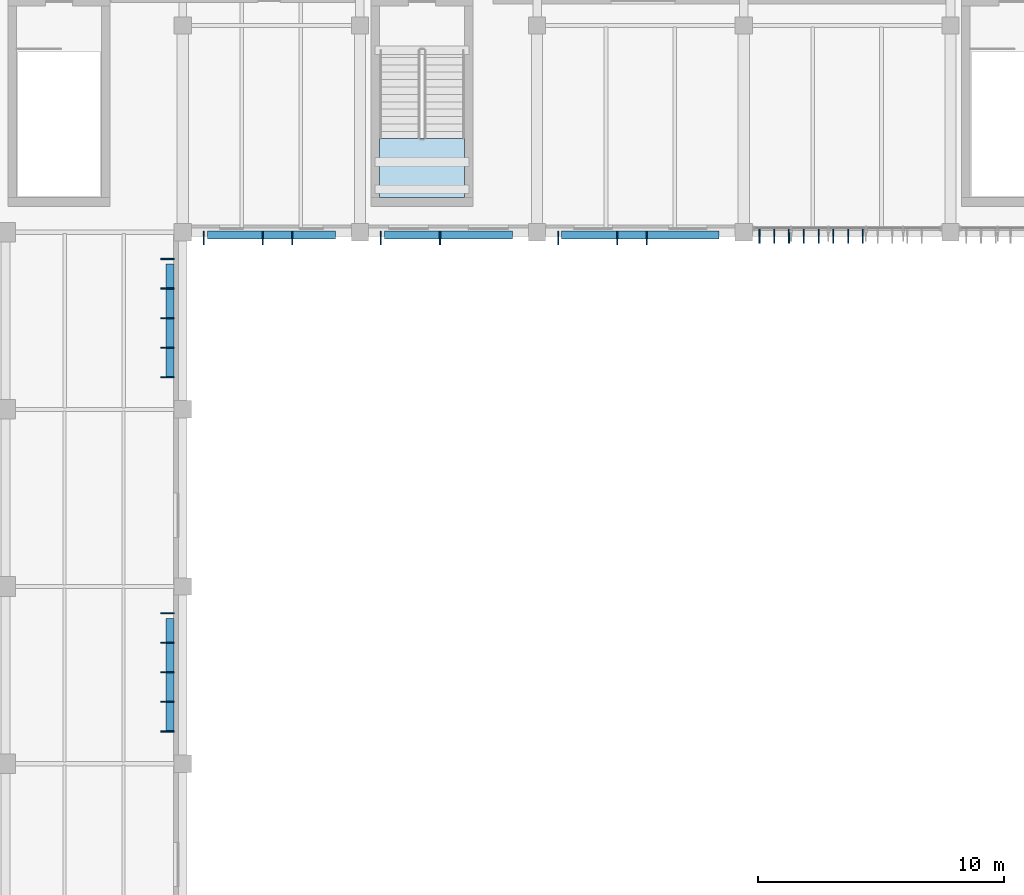
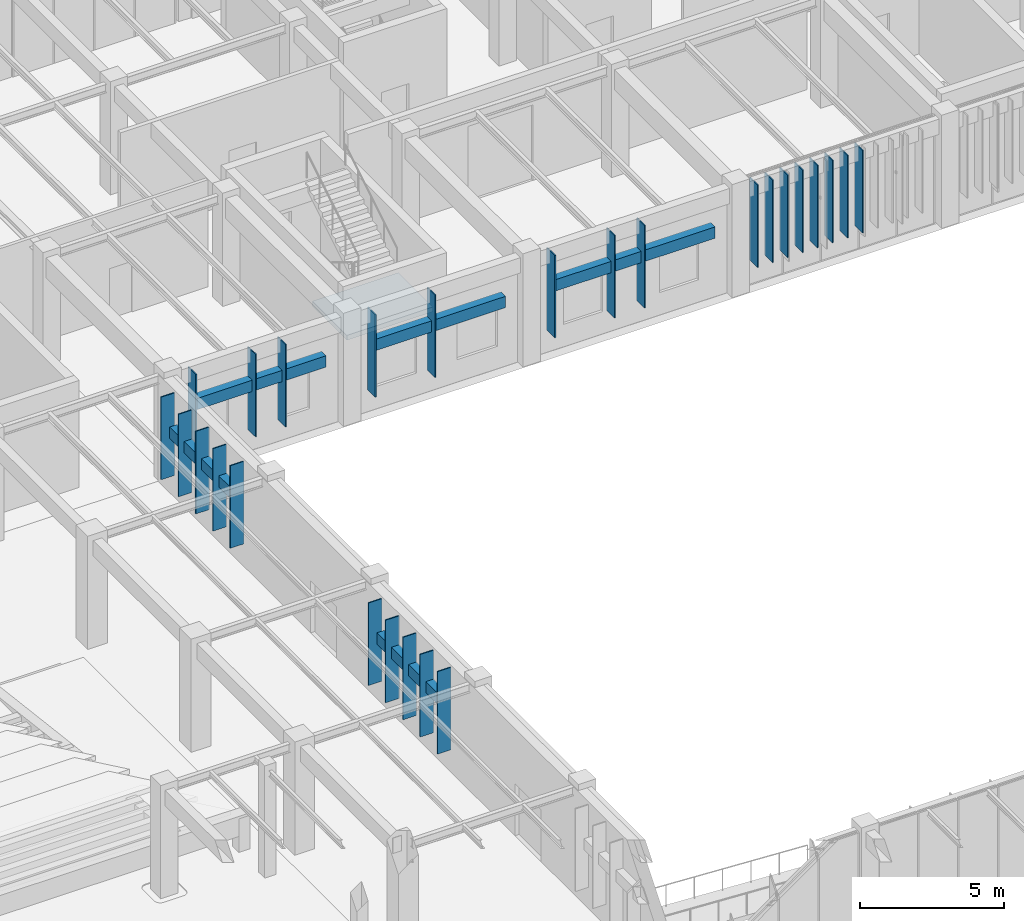
# One storey, part 24 of 122: 31 plates, 1 slab, 1 element without a shape of its own.
"""IFC4 building model written with IfcOpenShell, lengths in metres."""

from ifc_helpers import new_model, si_unit, direction, frame, origin, origin_2d, place, context, subcontext, project, spatial, polyline, rectangle, outline, extrude, material, layer, layer_set, type_object, element, aggregate, save


model = new_model("IFC4")

# Units and contexts
model_context = context("Model", 3, precision=1e-05, world=origin(), true_north=direction((0.0, 1.0)))
body_context = subcontext(model_context, "Body", "Model", "MODEL_VIEW")
ifc_project = project(units=[si_unit("LENGTHUNIT", "METRE"), si_unit("AREAUNIT", "SQUARE_METRE"), si_unit("VOLUMEUNIT", "CUBIC_METRE"), si_unit("PLANEANGLEUNIT", "RADIAN"), si_unit("MASSUNIT", "GRAM", prefix="KILO")], contexts=[model_context])

# Site, building, storey
site_placement = place(None, origin())
site = spatial("IfcSite", under=ifc_project, at=site_placement, CompositionType="ELEMENT")
building_placement = place(site_placement, origin())
building = spatial("IfcBuilding", under=site, at=building_placement, Name="Tazoul Stagehouse", CompositionType="ELEMENT")
storey_placement = place(building_placement, origin())
storey = spatial("IfcBuildingStorey", under=building, at=storey_placement, Name="L00", CompositionType="ELEMENT", Elevation=0.0)

# Stair, slab
ifc_material_1 = material(Name="Concrete C40/50", Category="concrete")
stair_type = type_object("IfcStairType", Name="Protected Core Dogleg Stair 4800", PredefinedType="HALF_TURN_STAIR", material=ifc_material_1)
stair_placement = place(storey_placement, origin())
stair = element("IfcStair", 1, at=stair_placement, inside=storey, type_object=stair_type, Name="L00 Core Escape Stair ST-04", PredefinedType="HALF_TURN_STAIR")
ifc_layer_1 = layer(ifc_material_1, 0.179931640625, Name="Concrete C40/50")
ifc_layer_set_1 = layer_set([ifc_layer_1], Name="Concrete C40/50")
slab_type = type_object("IfcSlabType", Name="Core Half-Landing Slab 180", PredefinedType="LANDING", material=ifc_layer_set_1)
slab_placement = place(storey_placement, frame((0.0, 0.0, 2.199951171875)))
slab = element("IfcSlab", 2, at=slab_placement, type_object=slab_type, Name="ST-04 landing 1", PredefinedType="LANDING", context=body_context, shape_type="SweptSolid", body=[
    extrude(outline(polyline([(110.60009765625, 91.60009765625), (110.60009765625, 89.199951171875), (114.050048828125, 89.199951171875), (114.050048828125, 91.60009765625), (110.60009765625, 91.60009765625)])), origin(), (0.0, 0.0, 1.0), 0.199951171875),
])
aggregate(stair, [slab])

# Plates
ifc_material_2 = material(Name="Anodised Bronze Aluminium 6063-T6", Category="aluminium")
ifc_layer_2 = layer(ifc_material_2, 0.550048828125, Name="Anodised Bronze Aluminium 6063-T6")
ifc_layer_set_2 = layer_set([ifc_layer_2], Name="Anodised Bronze Aluminium 6063-T6")
plate_type_1 = type_object("IfcPlateType", Name="Parametric Terracotta-Bronze Solar Fin 550x3500", PredefinedType="USERDEFINED", material=ifc_layer_set_2)
for number, where, z_axis, x_axis, name in (
    (3, (101.97509765625, 86.7099609375, 0.919921875), (0.0, 0.0, 1.0), (0.0, -1.0, 0.0), "L00 Parametric Solar Fin SFN-21 (WALL-V1-E-L00-S1-B1-01)"),
    (4, (101.97509765625, 85.510009765625, 0.919921875), (0.0, 0.0, 1.0), (0.0, -1.0, 0.0), "L00 Parametric Solar Fin SFN-21 (WALL-V1-E-L00-S1-B1-02)"),
    (5, (101.97509765625, 84.31005859375, 0.919921875), (0.0, 0.0, 1.0), (0.0, -1.0, 0.0), "L00 Parametric Solar Fin SFN-21 (WALL-V1-E-L00-S1-B1-03)"),
    (6, (101.97509765625, 83.110107421875, 0.919921875), (0.0, 0.0, 1.0), (0.0, -1.0, 0.0), "L00 Parametric Solar Fin SFN-21 (WALL-V1-E-L00-S1-B1-04)"),
    (7, (101.97509765625, 81.909912109375, 0.919921875), (0.0, 0.0, 1.0), (0.0, -1.0, 0.0), "L00 Parametric Solar Fin SFN-21 (WALL-V1-E-L00-S1-B1-05)"),
    (8, (101.97509765625, 72.31005859375, 0.919921875), (0.0, 0.0, 1.0), (0.0, -1.0, 0.0), "L00 Parametric Solar Fin SFN-21 (WALL-V1-E-L00-S1-B3-01)"),
    (9, (101.97509765625, 71.110107421875, 0.919921875), (0.0, 0.0, 1.0), (0.0, -1.0, 0.0), "L00 Parametric Solar Fin SFN-21 (WALL-V1-E-L00-S1-B3-02)"),
    (10, (101.97509765625, 69.909912109375, 0.919921875), (0.0, 0.0, 1.0), (0.0, -1.0, 0.0), "L00 Parametric Solar Fin SFN-21 (WALL-V1-E-L00-S1-B3-03)"),
    (11, (101.97509765625, 68.7099609375, 0.919921875), (0.0, 0.0, 1.0), (0.0, -1.0, 0.0), "L00 Parametric Solar Fin SFN-21 (WALL-V1-E-L00-S1-B3-04)"),
    (12, (101.97509765625, 67.510009765625, 0.919921875), (0.0, 0.0, 1.0), (0.0, -1.0, 0.0), "L00 Parametric Solar Fin SFN-21 (WALL-V1-E-L00-S1-B3-05)"),
    (13, (103.455078125, 87.56494140625, 0.919921875), (0.0, 0.0, 1.0), (1.0, 0.0, 0.0), "L00 Parametric Solar Fin SFN-21 (WALL-V3-S1-L00-S1-01)"),
    (14, (105.85498046875, 87.56494140625, 0.919921875), (0.0, 0.0, 1.0), (1.0, 0.0, 0.0), "L00 Parametric Solar Fin SFN-21 (WALL-V3-S1-L00-S1-03)"),
    (15, (107.054931640625, 87.56494140625, 0.919921875), (0.0, 0.0, 1.0), (1.0, 0.0, 0.0), "L00 Parametric Solar Fin SFN-21 (WALL-V3-S1-L00-S1-04)"),
    (16, (110.655029296875, 87.56494140625, 0.919921875), (0.0, 0.0, 1.0), (1.0, 0.0, 0.0), "L00 Parametric Solar Fin SFN-21 (WALL-V3-S1-L00-S2-01)"),
    (17, (113.054931640625, 87.56494140625, 0.919921875), (0.0, 0.0, 1.0), (1.0, 0.0, 0.0), "L00 Parametric Solar Fin SFN-21 (WALL-V3-S1-L00-S2-03)"),
    (18, (117.85498046875, 87.56494140625, 0.919921875), (0.0, 0.0, 1.0), (1.0, 0.0, 0.0), "L00 Parametric Solar Fin SFN-21 (WALL-V3-S1-L00-S3-01)"),
    (19, (120.2548828125, 87.56494140625, 0.919921875), (0.0, 0.0, 1.0), (1.0, 0.0, 0.0), "L00 Parametric Solar Fin SFN-21 (WALL-V3-S1-L00-S3-03)"),
    (20, (121.455078125, 87.56494140625, 0.919921875), (0.0, 0.0, 1.0), (1.0, 0.0, 0.0), "L00 Parametric Solar Fin SFN-21 (WALL-V3-S1-L00-S3-04)"),
    (21, (126.0400390625, 87.635009765625, 0.989990234375), (0.0, 0.0, 1.0), (1.0, 0.0, 0.0), "L00 Parametric Solar Fin SFN-21 (CW-V3-S2-L00-B1-01)"),
    (22, (126.639892578125, 87.635009765625, 0.989990234375), (0.0, 0.0, 1.0), (1.0, 0.0, 0.0), "L00 Parametric Solar Fin SFN-21 (CW-V3-S2-L00-B1-02)"),
    (23, (127.239990234375, 87.635009765625, 0.989990234375), (0.0, 0.0, 1.0), (1.0, 0.0, 0.0), "L00 Parametric Solar Fin SFN-21 (CW-V3-S2-L00-B1-03)"),
    (24, (127.840087890625, 87.635009765625, 0.989990234375), (0.0, 0.0, 1.0), (1.0, 0.0, 0.0), "L00 Parametric Solar Fin SFN-21 (CW-V3-S2-L00-B1-04)"),
    (25, (128.43994140625, 87.635009765625, 0.989990234375), (0.0, 0.0, 1.0), (1.0, 0.0, 0.0), "L00 Parametric Solar Fin SFN-21 (CW-V3-S2-L00-B1-05)"),
    (26, (129.0400390625, 87.635009765625, 0.989990234375), (0.0, 0.0, 1.0), (1.0, 0.0, 0.0), "L00 Parametric Solar Fin SFN-21 (CW-V3-S2-L00-B1-06)"),
    (27, (129.639892578125, 87.635009765625, 0.989990234375), (0.0, 0.0, 1.0), (1.0, 0.0, 0.0), "L00 Parametric Solar Fin SFN-21 (CW-V3-S2-L00-B1-07)"),
    (28, (130.239990234375, 87.635009765625, 0.989990234375), (0.0, 0.0, 1.0), (1.0, 0.0, 0.0), "L00 Parametric Solar Fin SFN-21 (CW-V3-S2-L00-B1-08)"),
):
    element("IfcPlate", number, at=place(storey_placement, frame(where, z_axis=z_axis, x_axis=x_axis)), inside=storey, type_object=plate_type_1, Name=name, ObjectType="SOLAR FIN", PredefinedType="USERDEFINED", context=body_context, shape_type="SweptSolid", body=[
        extrude(rectangle(XDim=0.044921875, YDim=0.550048828125, at=origin_2d()), origin(), (0.0, 0.0, 1.0), 3.5),
    ])
ifc_layer_3 = layer(ifc_material_2, 0.320068359375, Name="Anodised Bronze Aluminium 6063-T6")
ifc_layer_set_3 = layer_set([ifc_layer_3], Name="Anodised Bronze Aluminium 6063-T6")
plate_type_2 = type_object("IfcPlateType", Name="Sculpted Facade Spandrel Ribbon 4600x480", PredefinedType="USERDEFINED", material=ifc_layer_set_3)
for number, where, z_axis, x_axis, name in (
    (29, (102.090087890625, 84.199951171875, 2.7109375), (0.0, 0.0, 1.0), (0.0, -1.0, 0.0), "L00 Sculpted Facade Spandrel Ribbon FRB-06 (WALL-V1-E-L00-S1-B1)"),
    (30, (102.090087890625, 69.800048828125, 2.7109375), (0.0, 0.0, 1.0), (0.0, -1.0, 0.0), "L00 Sculpted Facade Spandrel Ribbon FRB-06 (WALL-V1-E-L00-S1-B3)"),
):
    element("IfcPlate", number, at=place(storey_placement, frame(where, z_axis=z_axis, x_axis=x_axis)), inside=storey, type_object=plate_type_2, Name=name, ObjectType="FACADE RIBBON", PredefinedType="USERDEFINED", context=body_context, shape_type="SweptSolid", body=[
        extrude(rectangle(XDim=4.60009765625, YDim=0.320068359375, at=origin_2d()), origin(), (0.0, 0.0, 1.0), 0.47998046875),
    ])
ifc_layer_4 = layer(ifc_material_2, 0.320068359375, Name="Anodised Bronze Aluminium 6063-T6")
ifc_layer_set_4 = layer_set([ifc_layer_4], Name="Anodised Bronze Aluminium 6063-T6")
plate_type_3 = type_object("IfcPlateType", Name="Sculpted Facade Spandrel Ribbon 5200x480", PredefinedType="USERDEFINED", material=ifc_layer_set_4)
for number, where, z_axis, x_axis, name in (
    (31, (106.199951171875, 87.679931640625, 2.7109375), (0.0, 0.0, 1.0), (1.0, 0.0, 0.0), "L00 Sculpted Facade Spandrel Ribbon FRB-07 (WALL-V3-S1-L00-S1)"),
    (32, (113.39990234375, 87.679931640625, 2.7109375), (0.0, 0.0, 1.0), (1.0, 0.0, 0.0), "L00 Sculpted Facade Spandrel Ribbon FRB-07 (WALL-V3-S1-L00-S2)"),
):
    element("IfcPlate", number, at=place(storey_placement, frame(where, z_axis=z_axis, x_axis=x_axis)), inside=storey, type_object=plate_type_3, Name=name, ObjectType="FACADE RIBBON", PredefinedType="USERDEFINED", context=body_context, shape_type="SweptSolid", body=[
        extrude(rectangle(XDim=5.199951171875, YDim=0.320068359375, at=origin_2d()), origin(), (0.0, 0.0, 1.0), 0.47998046875),
    ])
ifc_layer_5 = layer(ifc_material_2, 0.320068359375, Name="Anodised Bronze Aluminium 6063-T6")
ifc_layer_set_5 = layer_set([ifc_layer_5], Name="Anodised Bronze Aluminium 6063-T6")
plate_type_4 = type_object("IfcPlateType", Name="Sculpted Facade Spandrel Ribbon 6400x480", PredefinedType="USERDEFINED", material=ifc_layer_set_5)
plate_placement = place(storey_placement, frame((121.199951171875, 87.679931640625, 2.7109375), z_axis=(0.0, 0.0, 1.0), x_axis=(1.0, 0.0, 0.0)))
element("IfcPlate", 33, at=plate_placement, inside=storey, type_object=plate_type_4, Name="L00 Sculpted Facade Spandrel Ribbon FRB-09 (WALL-V3-S1-L00-S3)", ObjectType="FACADE RIBBON", PredefinedType="USERDEFINED", context=body_context, shape_type="SweptSolid", body=[
    extrude(rectangle(XDim=6.39990234375, YDim=0.320068359375, at=origin_2d()), origin(), (0.0, 0.0, 1.0), 0.47998046875),
])

save(model, "model.ifc")
